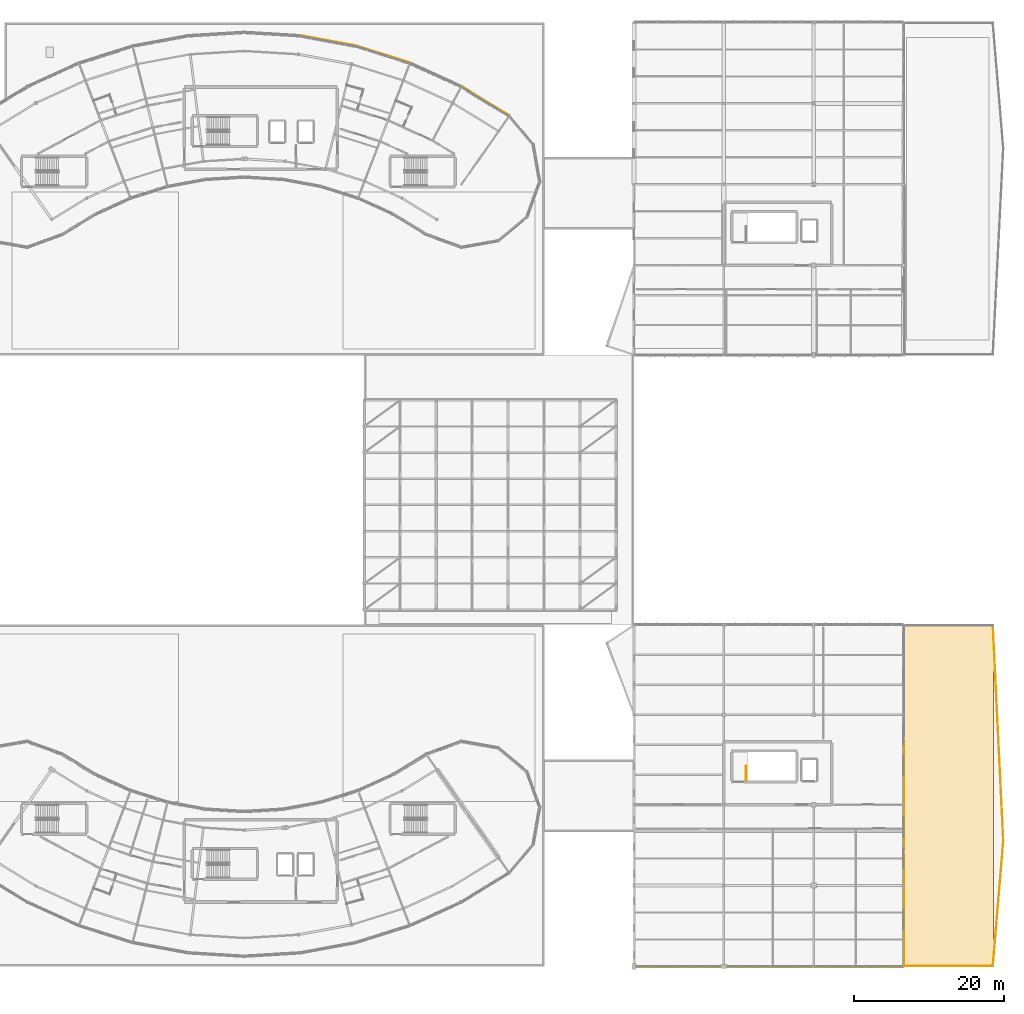
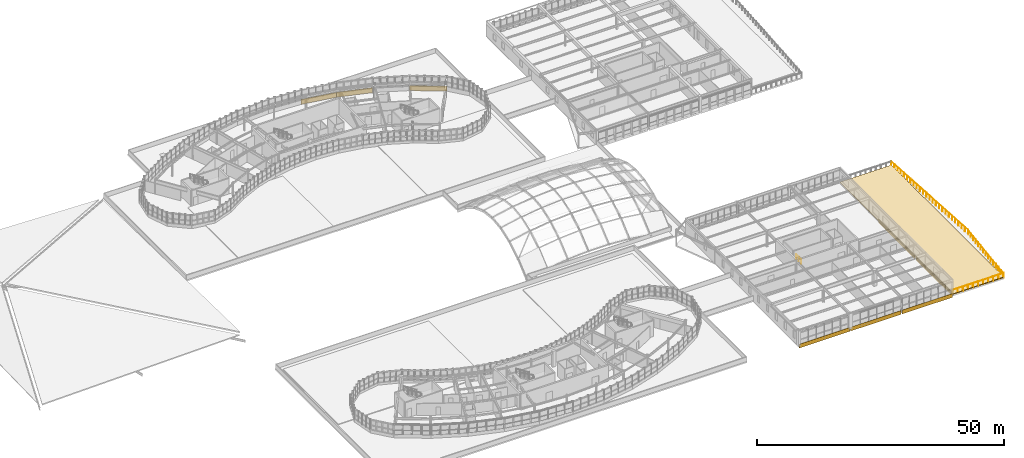
# One storey, part 123 of 128: 9 coverings, 4 railings.
"""IFC4 building model written with IfcOpenShell, lengths in metres."""

from ifc_helpers import new_model, si_unit, direction, frame, origin, origin_2d, place, context, subcontext, project, spatial, polyline, rectangle, circle, outline, extrude, material, layer, layer_set, type_object, element, save


model = new_model("IFC4")

# Units and contexts
model_context = context("Model", 3, precision=1e-05, world=origin(), true_north=direction((0.0, 1.0)))
body_context = subcontext(model_context, "Body", "Model", "MODEL_VIEW")
ifc_project = project(units=[si_unit("LENGTHUNIT", "METRE"), si_unit("AREAUNIT", "SQUARE_METRE"), si_unit("VOLUMEUNIT", "CUBIC_METRE"), si_unit("PLANEANGLEUNIT", "RADIAN"), si_unit("MASSUNIT", "GRAM", prefix="KILO")], contexts=[model_context])

# Site, building, storey
site_placement = place(None, origin())
site = spatial("IfcSite", under=ifc_project, at=site_placement, CompositionType="ELEMENT")
building_placement = place(site_placement, origin())
building = spatial("IfcBuilding", under=site, at=building_placement, Name="Tarnwether General Hospital", CompositionType="ELEMENT")
storey_placement = place(building_placement, frame((0.0, 0.0, 14.39990234375)))
storey = spatial("IfcBuildingStorey", under=building, at=storey_placement, Name="L03", CompositionType="ELEMENT", Elevation=14.39990234375)

# Coverings
ifc_material_1 = material(Name="Streamlined white enamelled aluminium", Category="aluminium")
ifc_layer_1 = layer(ifc_material_1, 0.044921875)
ifc_layer_set_1 = layer_set([ifc_layer_1], Name="Streamlined white enamelled aluminium")
covering_type_1 = type_object("IfcCoveringType", Name="CV-CLD-WHT", PredefinedType="CLADDING", material=ifc_layer_set_1)
for number, where, z_axis, x_axis, name in (
    (1, (124.194091796875, 115.5380859375, -0.1748046875), (0.0, 0.0, 1.0), (0.852631044904, -0.522513446015, 0.0), "Streamlined White Horizontal Band NW L03 22"),
    (2, (110.528076171875, 121.764892578125, -0.1748046875), (0.0, 0.0, 1.0), (0.953743188648, -0.300622570855, 0.0), "Streamlined White Horizontal Band NW L03 24"),
    (3, (103.22900390625, 123.5849609375, -0.1748046875), (0.0, 0.0, 1.0), (0.983245364386, -0.182287008349, 0.0), "Streamlined White Horizontal Band NW L03 25"),
):
    element("IfcCovering", number, at=place(storey_placement, frame(where, z_axis=z_axis, x_axis=x_axis)), inside=storey, type_object=covering_type_1, Name=name, PredefinedType="CLADDING", context=body_context, shape_type="SweptSolid", body=[
        extrude(rectangle(XDim=7.52099609375, YDim=0.044921875, at=origin_2d()), origin(), (0.0, 0.0, 1.0), 1.25),
    ])
ifc_material_2 = material(Name="Folded zinc-titanium cladding")
ifc_layer_2 = layer(ifc_material_2, 0.0400390625)
ifc_layer_set_2 = layer_set([ifc_layer_2], Name="Folded zinc-titanium cladding")
covering_type_2 = type_object("IfcCoveringType", Name="CV-CLD-ZNC", PredefinedType="CLADDING", material=ifc_layer_set_2)
for number, where, z_axis, x_axis, name in (
    (4, (150.0, -0.090087890625, -0.5546875), (0.0, 0.0, 1.0), (1.0, 0.0, 0.0), "Deconstructivist Faceted Zinc Spandrel Blade 045"),
    (5, (162.0, -0.090087890625, -0.5546875), (0.0, 0.0, 1.0), (1.0, 0.0, 0.0), "Deconstructivist Faceted Zinc Spandrel Blade 046"),
    (6, (174.0, -0.090087890625, -0.5546875), (0.0, 0.0, 1.0), (1.0, 0.0, 0.0), "Deconstructivist Faceted Zinc Spandrel Blade 047"),
):
    element("IfcCovering", number, at=place(storey_placement, frame(where, z_axis=z_axis, x_axis=x_axis)), inside=storey, type_object=covering_type_2, Name=name, PredefinedType="CLADDING", context=body_context, shape_type="SweptSolid", body=[
        extrude(rectangle(XDim=11.800048828125, YDim=0.0400390625, at=origin_2d()), origin(), (0.0, 0.0, 1.0), 0.949951171875),
    ])
for number, where, z_axis, x_axis, name in (
    (7, (180.090087890625, 7.60009765625, -0.5546875), (0.0, 0.0, 1.0), (0.0, 1.0, 0.0), "Deconstructivist East Faceted Zinc Spandrel 057"),
    (8, (180.090087890625, 22.800048828125, -0.5546875), (0.0, 0.0, 1.0), (0.0, 1.0, 0.0), "Deconstructivist East Faceted Zinc Spandrel 058"),
):
    element("IfcCovering", number, at=place(storey_placement, frame(where, z_axis=z_axis, x_axis=x_axis)), inside=storey, type_object=covering_type_2, Name=name, PredefinedType="CLADDING", context=body_context, shape_type="SweptSolid", body=[
        extrude(rectangle(XDim=14.60009765625, YDim=0.0400390625, at=origin_2d()), origin(), (0.0, 0.0, 1.0), 0.949951171875),
    ])
ifc_material_3 = material(Name="Planted green roof media")
ifc_layer_3 = layer(ifc_material_3, 0.179931640625)
ifc_layer_set_3 = layer_set([ifc_layer_3], Name="Planted green roof media")
covering_type_3 = type_object("IfcCoveringType", Name="CV-RFG-GRN", PredefinedType="ROOFING", material=ifc_layer_set_3)
covering_placement = place(storey_placement, origin())
element("IfcCovering", 9, at=covering_placement, inside=storey, type_object=covering_type_3, Name="Roof Covering CV-RFG-V6T", PredefinedType="ROOFING", context=body_context, shape_type="SweptSolid", body=[
    extrude(outline(polyline([(192.0, 0.0), (192.0, 45.60009765625), (180.0, 45.60009765625), (180.0, 0.0), (192.0, 0.0)])), origin(), (0.0, 0.0, 1.0), 0.18017578125),
])

# Railings
ifc_material_4 = material(Name="Anodised aluminium", Category="aluminium")
railing_type_1 = type_object("IfcRailingType", Name="RL-GRD-EXT", PredefinedType="GUARDRAIL", material=ifc_material_4)
railing_1_placement = place(storey_placement, frame((191.924072265625, 45.52001953125, 0.0)))
element("IfcRailing", 10, at=railing_1_placement, inside=storey, type_object=railing_type_1, Name="L03 Outpatient South-East Shard Roof Garden SL-L03-V6TER Guard 0013", PredefinedType="GUARDRAIL", context=body_context, shape_type="SweptSolid", body=[
    extrude(circle(Radius=0.02392578125, at=origin_2d()), frame((0.0, 0.0, 1.1259765625), z_axis=(0.048551483477, -0.99882068133, 0.0), x_axis=(0.99882068133, 0.048551483477, 0.0)), (0.0, 0.0, 1.0), 28.7529296875),
    extrude(circle(Radius=0.02099609375, at=origin_2d()), origin(), (0.0, 0.0, 1.0), 1.101806640625),
    extrude(circle(Radius=0.02099609375, at=origin_2d()), frame((0.05810546875, -1.196533203125, 0.0)), (0.0, 0.0, 1.0), 1.101806640625),
    extrude(circle(Radius=0.02099609375, at=origin_2d()), frame((0.1162109375, -2.393310546875, 0.0)), (0.0, 0.0, 1.0), 1.101806640625),
    extrude(circle(Radius=0.02099609375, at=origin_2d()), frame((0.174560546875, -3.58984375, 0.0)), (0.0, 0.0, 1.0), 1.101806640625),
    extrude(circle(Radius=0.02099609375, at=origin_2d()), frame((0.232666015625, -4.78662109375, 0.0)), (0.0, 0.0, 1.0), 1.101806640625),
    extrude(circle(Radius=0.02099609375, at=origin_2d()), frame((0.290771484375, -5.983154296875, 0.0)), (0.0, 0.0, 1.0), 1.101806640625),
    extrude(circle(Radius=0.02099609375, at=origin_2d()), frame((0.34912109375, -7.1796875, 0.0)), (0.0, 0.0, 1.0), 1.101806640625),
    extrude(circle(Radius=0.02099609375, at=origin_2d()), frame((0.4072265625, -8.37646484375, 0.0)), (0.0, 0.0, 1.0), 1.101806640625),
    extrude(circle(Radius=0.02099609375, at=origin_2d()), frame((0.46533203125, -9.572998046875, 0.0)), (0.0, 0.0, 1.0), 1.101806640625),
    extrude(circle(Radius=0.02099609375, at=origin_2d()), frame((0.5234375, -10.76953125, 0.0)), (0.0, 0.0, 1.0), 1.101806640625),
    extrude(circle(Radius=0.02099609375, at=origin_2d()), frame((0.58154296875, -11.96630859375, 0.0)), (0.0, 0.0, 1.0), 1.101806640625),
    extrude(circle(Radius=0.02099609375, at=origin_2d()), frame((0.639892578125, -13.162841796875, 0.0)), (0.0, 0.0, 1.0), 1.101806640625),
    extrude(circle(Radius=0.02099609375, at=origin_2d()), frame((0.697998046875, -14.359375, 0.0)), (0.0, 0.0, 1.0), 1.101806640625),
    extrude(circle(Radius=0.02099609375, at=origin_2d()), frame((0.756103515625, -15.55615234375, 0.0)), (0.0, 0.0, 1.0), 1.101806640625),
    extrude(circle(Radius=0.02099609375, at=origin_2d()), frame((0.814453125, -16.752685546875, 0.0)), (0.0, 0.0, 1.0), 1.101806640625),
    extrude(circle(Radius=0.02099609375, at=origin_2d()), frame((0.87255859375, -17.949462890625, 0.0)), (0.0, 0.0, 1.0), 1.101806640625),
    extrude(circle(Radius=0.02099609375, at=origin_2d()), frame((0.9306640625, -19.14599609375, 0.0)), (0.0, 0.0, 1.0), 1.101806640625),
    extrude(circle(Radius=0.02099609375, at=origin_2d()), frame((0.98876953125, -20.342529296875, 0.0)), (0.0, 0.0, 1.0), 1.101806640625),
    extrude(circle(Radius=0.02099609375, at=origin_2d()), frame((1.046875, -21.539306640625, 0.0)), (0.0, 0.0, 1.0), 1.101806640625),
    extrude(circle(Radius=0.02099609375, at=origin_2d()), frame((1.105224609375, -22.73583984375, 0.0)), (0.0, 0.0, 1.0), 1.101806640625),
    extrude(circle(Radius=0.02099609375, at=origin_2d()), frame((1.163330078125, -23.9326171875, 0.0)), (0.0, 0.0, 1.0), 1.101806640625),
    extrude(circle(Radius=0.02099609375, at=origin_2d()), frame((1.221435546875, -25.129150390625, 0.0)), (0.0, 0.0, 1.0), 1.101806640625),
    extrude(circle(Radius=0.02099609375, at=origin_2d()), frame((1.27978515625, -26.32568359375, 0.0)), (0.0, 0.0, 1.0), 1.101806640625),
    extrude(circle(Radius=0.02099609375, at=origin_2d()), frame((1.337890625, -27.5224609375, 0.0)), (0.0, 0.0, 1.0), 1.101806640625),
    extrude(circle(Radius=0.02099609375, at=origin_2d()), frame((1.39599609375, -28.718994140625, 0.0)), (0.0, 0.0, 1.0), 1.101806640625),
])
railing_2_placement = place(storey_placement, frame((193.320068359375, 16.801025390625, 0.0)))
element("IfcRailing", 11, at=railing_2_placement, inside=storey, type_object=railing_type_1, Name="L03 Outpatient South-East Shard Roof Garden SL-L03-V6TER Guard 0014", PredefinedType="GUARDRAIL", context=body_context, shape_type="SweptSolid", body=[
    extrude(circle(Radius=0.02392578125, at=origin_2d()), frame((0.0, 0.0, 1.1259765625), z_axis=(-0.083082809109, -0.99654264677, 0.0), x_axis=(0.99654264677, -0.083082809109, 0.0)), (0.0, 0.0, 1.0), 16.779052734375),
    extrude(circle(Radius=0.02099609375, at=origin_2d()), origin(), (0.0, 0.0, 1.0), 1.101806640625),
    extrude(circle(Radius=0.02099609375, at=origin_2d()), frame((-0.099609375, -1.1943359375, 0.0)), (0.0, 0.0, 1.0), 1.101806640625),
    extrude(circle(Radius=0.02099609375, at=origin_2d()), frame((-0.19921875, -2.388671875, 0.0)), (0.0, 0.0, 1.0), 1.101806640625),
    extrude(circle(Radius=0.02099609375, at=origin_2d()), frame((-0.298828125, -3.5830078125, 0.0)), (0.0, 0.0, 1.0), 1.101806640625),
    extrude(circle(Radius=0.02099609375, at=origin_2d()), frame((-0.398193359375, -4.77734375, 0.0)), (0.0, 0.0, 1.0), 1.101806640625),
    extrude(circle(Radius=0.02099609375, at=origin_2d()), frame((-0.497802734375, -5.9716796875, 0.0)), (0.0, 0.0, 1.0), 1.101806640625),
    extrude(circle(Radius=0.02099609375, at=origin_2d()), frame((-0.597412109375, -7.166015625, 0.0)), (0.0, 0.0, 1.0), 1.101806640625),
    extrude(circle(Radius=0.02099609375, at=origin_2d()), frame((-0.697021484375, -8.3603515625, 0.0)), (0.0, 0.0, 1.0), 1.101806640625),
    extrude(circle(Radius=0.02099609375, at=origin_2d()), frame((-0.796630859375, -9.554931640625, 0.0)), (0.0, 0.0, 1.0), 1.101806640625),
    extrude(circle(Radius=0.02099609375, at=origin_2d()), frame((-0.896240234375, -10.749267578125, 0.0)), (0.0, 0.0, 1.0), 1.101806640625),
    extrude(circle(Radius=0.02099609375, at=origin_2d()), frame((-0.995849609375, -11.943603515625, 0.0)), (0.0, 0.0, 1.0), 1.101806640625),
    extrude(circle(Radius=0.02099609375, at=origin_2d()), frame((-1.09521484375, -13.137939453125, 0.0)), (0.0, 0.0, 1.0), 1.101806640625),
    extrude(circle(Radius=0.02099609375, at=origin_2d()), frame((-1.19482421875, -14.332275390625, 0.0)), (0.0, 0.0, 1.0), 1.101806640625),
    extrude(circle(Radius=0.02099609375, at=origin_2d()), frame((-1.29443359375, -15.526611328125, 0.0)), (0.0, 0.0, 1.0), 1.101806640625),
    extrude(circle(Radius=0.02099609375, at=origin_2d()), frame((-1.39404296875, -16.720947265625, 0.0)), (0.0, 0.0, 1.0), 1.101806640625),
])
railing_3_placement = place(storey_placement, frame((191.926025390625, 0.080078125, 0.0)))
element("IfcRailing", 12, at=railing_3_placement, inside=storey, type_object=railing_type_1, Name="L03 Outpatient South-East Shard Roof Garden SL-L03-V6TER Guard 0015", PredefinedType="GUARDRAIL", context=body_context, shape_type="SweptSolid", body=[
    extrude(circle(Radius=0.02392578125, at=origin_2d()), frame((0.0, 0.0, 1.1259765625), z_axis=(-1.0, 0.0, 0.0), x_axis=(0.0, -1.0, 0.0)), (0.0, 0.0, 1.0), 11.845947265625),
    extrude(circle(Radius=0.02099609375, at=origin_2d()), origin(), (0.0, 0.0, 1.0), 1.101806640625),
    extrude(circle(Radius=0.02099609375, at=origin_2d()), frame((-1.1845703125, 0.0, 0.0)), (0.0, 0.0, 1.0), 1.101806640625),
    extrude(circle(Radius=0.02099609375, at=origin_2d()), frame((-2.369140625, 0.0, 0.0)), (0.0, 0.0, 1.0), 1.101806640625),
    extrude(circle(Radius=0.02099609375, at=origin_2d()), frame((-3.5537109375, 0.0, 0.0)), (0.0, 0.0, 1.0), 1.101806640625),
    extrude(circle(Radius=0.02099609375, at=origin_2d()), frame((-4.73828125, 0.0, 0.0)), (0.0, 0.0, 1.0), 1.101806640625),
    extrude(circle(Radius=0.02099609375, at=origin_2d()), frame((-5.9228515625, 0.0, 0.0)), (0.0, 0.0, 1.0), 1.101806640625),
    extrude(circle(Radius=0.02099609375, at=origin_2d()), frame((-7.107666015625, 0.0, 0.0)), (0.0, 0.0, 1.0), 1.101806640625),
    extrude(circle(Radius=0.02099609375, at=origin_2d()), frame((-8.292236328125, 0.0, 0.0)), (0.0, 0.0, 1.0), 1.101806640625),
    extrude(circle(Radius=0.02099609375, at=origin_2d()), frame((-9.476806640625, 0.0, 0.0)), (0.0, 0.0, 1.0), 1.101806640625),
    extrude(circle(Radius=0.02099609375, at=origin_2d()), frame((-10.661376953125, 0.0, 0.0)), (0.0, 0.0, 1.0), 1.101806640625),
    extrude(circle(Radius=0.02099609375, at=origin_2d()), frame((-11.845947265625, 0.0, 0.0)), (0.0, 0.0, 1.0), 1.101806640625),
])
ifc_material_5 = material(Name="Anodised aluminium", Category="aluminium")
railing_type_2 = type_object("IfcRailingType", Name="RL-GRD-INT", PredefinedType="GUARDRAIL", material=ifc_material_5)
railing_4_placement = place(storey_placement, frame((158.949951171875, 24.800048828125, 0.0)))
element("IfcRailing", 13, at=railing_4_placement, inside=storey, type_object=railing_type_2, Name="L03 ST-05 top well guard 1", PredefinedType="GUARDRAIL", context=body_context, shape_type="SweptSolid", body=[
    extrude(circle(Radius=0.02392578125, at=origin_2d()), frame((0.0, 0.0, 1.076171875), z_axis=(0.0, 1.0, 0.0), x_axis=(-1.0, 0.0, 0.0)), (0.0, 0.0, 1.0), 2.0),
    extrude(circle(Radius=0.02099609375, at=origin_2d()), origin(), (0.0, 0.0, 1.0), 1.052001953125),
    extrude(circle(Radius=0.02099609375, at=origin_2d()), frame((0.0, 1.0, 0.0)), (0.0, 0.0, 1.0), 1.052001953125),
    extrude(circle(Radius=0.02099609375, at=origin_2d()), frame((0.0, 2.0, 0.0)), (0.0, 0.0, 1.0), 1.052001953125),
])

save(model, "model.ifc")
